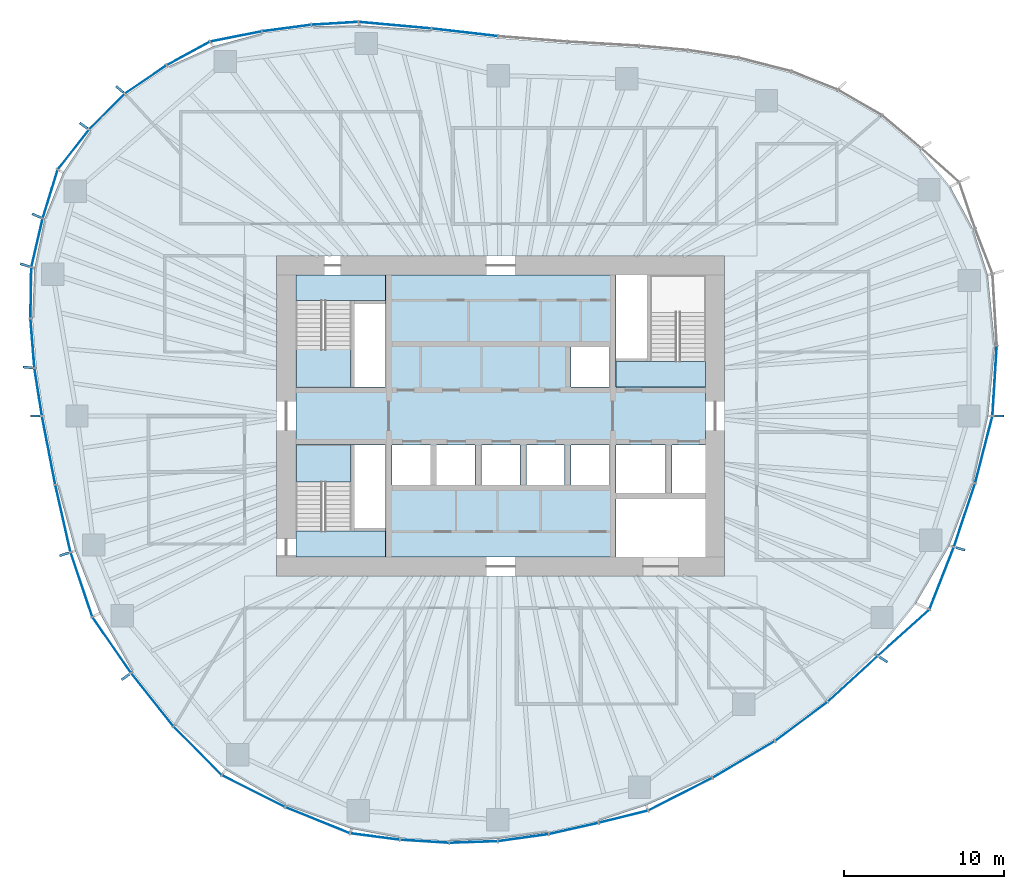
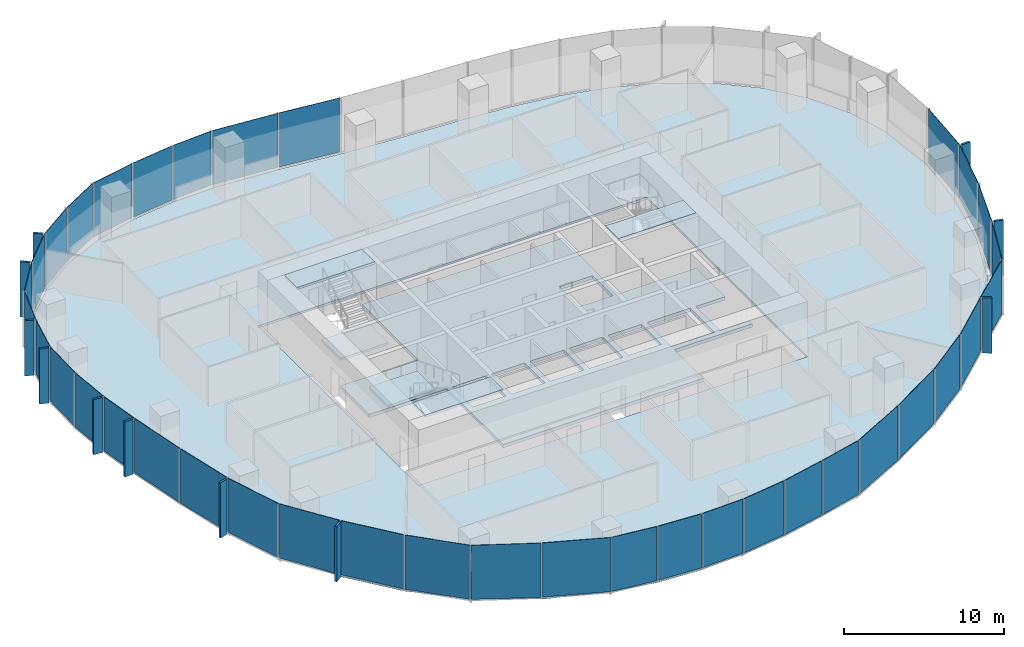
# One storey, part 7 of 18: 48 plates, 7 slabs, 19 elements without a shape of their own.
"""IFC4 building model written with IfcOpenShell, lengths in metres."""

from ifc_helpers import new_model, si_unit, direction, frame, origin, origin_2d, place, context, subcontext, project, spatial, polyline, rectangle, outline, extrude, material, layer, layer_set, type_object, element, aggregate, save


model = new_model("IFC4")

# Units and contexts
model_context = context("Model", 3, precision=1e-05, world=origin(), true_north=direction((0.0, 1.0)))
body_context = subcontext(model_context, "Body", "Model", "MODEL_VIEW")
ifc_project = project(units=[si_unit("LENGTHUNIT", "METRE"), si_unit("AREAUNIT", "SQUARE_METRE"), si_unit("VOLUMEUNIT", "CUBIC_METRE"), si_unit("PLANEANGLEUNIT", "RADIAN"), si_unit("MASSUNIT", "GRAM", prefix="KILO")], contexts=[model_context])

# Site, building, storey
site_placement = place(None, origin())
site = spatial("IfcSite", under=ifc_project, at=site_placement, CompositionType="ELEMENT")
building_placement = place(site_placement, origin())
building = spatial("IfcBuilding", under=site, at=building_placement, Name="Ghaith Harvest Tower", CompositionType="ELEMENT")
storey_placement = place(building_placement, frame((0.0, 0.0, 159.60009765625)))
storey = spatial("IfcBuildingStorey", under=building, at=storey_placement, Name="L34", CompositionType="ELEMENT", Elevation=159.60009765625)

# Curtain wall, plate
ifc_material_1 = material(Name="Black anodised aluminium and fritted glass", Category="aluminium")
curtain_wall_type = type_object("IfcCurtainWallType", Name="CW-L CURTAIN WALL", PredefinedType="NOTDEFINED", material=ifc_material_1)
curtain_wall_1_placement = place(storey_placement, origin())
curtain_wall_1 = element("IfcCurtainWall", 1, at=curtain_wall_1_placement, inside=storey, type_object=curtain_wall_type, Name="Curtain wall CW-L bay 01 L34", PredefinedType="NOTDEFINED")
ifc_material_2 = material(Name="Glass, dark solar-control fritted double glazed unit", Category="glass")
ifc_layer_1 = layer(ifc_material_2, 0.031982421875)
ifc_layer_set_1 = layer_set([ifc_layer_1], Name="CW-L VISION PANEL")
plate_type_1 = type_object("IfcPlateType", Name="CW-L VISION PANEL", PredefinedType="CURTAIN_PANEL", material=ifc_layer_set_1)
plate_1_placement = place(storey_placement, frame((30.86376953125, 2.19482421875, 0.079833984375), z_axis=(0.0, 0.0, 1.0), x_axis=(0.061379619468, 0.99811449359, 0.0)))
plate_1 = element("IfcPlate", 2, at=plate_1_placement, type_object=plate_type_1, Name="CW-L glass unit 1 bay 01 L34", PredefinedType="CURTAIN_PANEL", context=body_context, shape_type="SweptSolid", body=[
    extrude(rectangle(XDim=4.318115234375, YDim=0.031982421875, at=origin_2d()), origin(), (0.0, 0.0, 1.0), 4.1201171875),
])
aggregate(curtain_wall_1, [plate_1])

# Curtain wall, plates
curtain_wall_2_placement = place(storey_placement, origin())
curtain_wall_2 = element("IfcCurtainWall", 3, at=curtain_wall_2_placement, inside=storey, type_object=curtain_wall_type, Name="Curtain wall CW-L bay 06 L34", PredefinedType="NOTDEFINED")
plate_2_placement = place(storey_placement, frame((-2.24267578125, 23.968505859375, 0.079833984375), z_axis=(0.0, 0.0, 1.0), x_axis=(-0.993477024646, 0.114032458099, 0.0)))
plate_2 = element("IfcPlate", 4, at=plate_2_placement, type_object=plate_type_1, Name="CW-L glass unit 1 bay 06 L34", PredefinedType="CURTAIN_PANEL", context=body_context, shape_type="SweptSolid", body=[
    extrude(rectangle(XDim=4.10791015625, YDim=0.031982421875, at=origin_2d()), origin(), (0.0, 0.0, 1.0), 4.1201171875),
])
plate_3_placement = place(storey_placement, frame((-6.607666015625, 24.4140625, 0.079833984375), z_axis=(0.0, 0.0, 1.0), x_axis=(-0.995928776302, 0.090143621701, 0.0)))
plate_3 = element("IfcPlate", 5, at=plate_3_placement, type_object=plate_type_1, Name="CW-L glass unit 2 bay 06 L34", PredefinedType="CURTAIN_PANEL", context=body_context, shape_type="SweptSolid", body=[
    extrude(rectangle(XDim=4.508056640625, YDim=0.031982421875, at=origin_2d()), origin(), (0.0, 0.0, 1.0), 4.1201171875),
])
aggregate(curtain_wall_2, [plate_2, plate_3])

curtain_wall_3_placement = place(storey_placement, origin())
curtain_wall_3 = element("IfcCurtainWall", 6, at=curtain_wall_3_placement, inside=storey, type_object=curtain_wall_type, Name="Curtain wall CW-L bay 07 L34", PredefinedType="NOTDEFINED")
plate_4_placement = place(storey_placement, frame((-10.36669921875, 24.5302734375, 0.079833984375), z_axis=(0.0, 0.0, 1.0), x_axis=(-0.998119199641, -0.061303044853, 0.0)))
plate_4 = element("IfcPlate", 7, at=plate_4_placement, type_object=plate_type_1, Name="CW-L glass unit 1 bay 07 L34", PredefinedType="CURTAIN_PANEL", context=body_context, shape_type="SweptSolid", body=[
    extrude(rectangle(XDim=2.874267578125, YDim=0.031982421875, at=origin_2d()), origin(), (0.0, 0.0, 1.0), 4.1201171875),
])
plate_5_placement = place(storey_placement, frame((-13.382568359375, 24.23486328125, 0.079833984375), z_axis=(0.0, 0.0, 1.0), x_axis=(-0.991285895369, -0.131728029071, 0.0)))
plate_5 = element("IfcPlate", 8, at=plate_5_placement, type_object=plate_type_1, Name="CW-L glass unit 2 bay 07 L34", PredefinedType="CURTAIN_PANEL", context=body_context, shape_type="SweptSolid", body=[
    extrude(rectangle(XDim=3.02978515625, YDim=0.031982421875, at=origin_2d()), origin(), (0.0, 0.0, 1.0), 4.1201171875),
])
plate_6_placement = place(storey_placement, frame((-16.54443359375, 23.7099609375, 0.079833984375), z_axis=(0.0, 0.0, 1.0), x_axis=(-0.981037550101, -0.193817763096, 0.0)))
plate_6 = element("IfcPlate", 9, at=plate_6_placement, type_object=plate_type_1, Name="CW-L glass unit 3 bay 07 L34", PredefinedType="CURTAIN_PANEL", context=body_context, shape_type="SweptSolid", body=[
    extrude(rectangle(XDim=3.22412109375, YDim=0.031982421875, at=origin_2d()), origin(), (0.0, 0.0, 1.0), 4.1201171875),
])
aggregate(curtain_wall_3, [plate_4, plate_5, plate_6])

curtain_wall_4_placement = place(storey_placement, origin())
curtain_wall_4 = element("IfcCurtainWall", 10, at=curtain_wall_4_placement, inside=storey, type_object=curtain_wall_type, Name="Curtain wall CW-L bay 08 L34", PredefinedType="NOTDEFINED")
plate_7_placement = place(storey_placement, frame((-19.520263671875, 22.650634765625, 0.079833984375), z_axis=(0.0, 0.0, 1.0), x_axis=(-0.877940384665, -0.478769966659, 0.0)))
plate_7 = element("IfcPlate", 11, at=plate_7_placement, type_object=plate_type_1, Name="CW-L glass unit 1 bay 08 L34", PredefinedType="CURTAIN_PANEL", context=body_context, shape_type="SweptSolid", body=[
    extrude(rectangle(XDim=3.007080078125, YDim=0.031982421875, at=origin_2d()), origin(), (0.0, 0.0, 1.0), 4.1201171875),
])
plate_8_placement = place(storey_placement, frame((-22.182373046875, 21.025390625, 0.079833984375), z_axis=(0.0, 0.0, 1.0), x_axis=(-0.827674847773, -0.561207935051, 0.0)))
plate_8 = element("IfcPlate", 12, at=plate_8_placement, type_object=plate_type_1, Name="CW-L glass unit 2 bay 08 L34", PredefinedType="CURTAIN_PANEL", context=body_context, shape_type="SweptSolid", body=[
    extrude(rectangle(XDim=3.078369140625, YDim=0.031982421875, at=origin_2d()), origin(), (0.0, 0.0, 1.0), 4.1201171875),
])
plate_9_placement = place(storey_placement, frame((-24.603759765625, 19.01708984375, 0.079833984375), z_axis=(0.0, 0.0, 1.0), x_axis=(-0.704613943896, -0.709590861037, 0.0)))
plate_9 = element("IfcPlate", 13, at=plate_9_placement, type_object=plate_type_1, Name="CW-L glass unit 3 bay 08 L34", PredefinedType="CURTAIN_PANEL", context=body_context, shape_type="SweptSolid", body=[
    extrude(rectangle(XDim=3.0830078125, YDim=0.031982421875, at=origin_2d()), origin(), (0.0, 0.0, 1.0), 4.1201171875),
])
aggregate(curtain_wall_4, [plate_7, plate_8, plate_9])

curtain_wall_5_placement = place(storey_placement, origin())
curtain_wall_5 = element("IfcCurtainWall", 14, at=curtain_wall_5_placement, inside=storey, type_object=curtain_wall_type, Name="Curtain wall CW-L bay 09 L34", PredefinedType="NOTDEFINED")
plate_10_placement = place(storey_placement, frame((-26.69873046875, 16.644775390625, 0.079833984375), z_axis=(0.0, 0.0, 1.0), x_axis=(-0.617140806324, -0.786852734106, 0.0)))
plate_10 = element("IfcPlate", 15, at=plate_10_placement, type_object=plate_type_1, Name="CW-L glass unit 1 bay 09 L34", PredefinedType="CURTAIN_PANEL", context=body_context, shape_type="SweptSolid", body=[
    extrude(rectangle(XDim=3.09765625, YDim=0.031982421875, at=origin_2d()), origin(), (0.0, 0.0, 1.0), 4.1201171875),
])
plate_11_placement = place(storey_placement, frame((-28.14794921875, 13.869140625, 0.079833984375), z_axis=(0.0, 0.0, 1.0), x_axis=(-0.293802674087, -0.955866093498, 0.0)))
plate_11 = element("IfcPlate", 16, at=plate_11_placement, type_object=plate_type_1, Name="CW-L glass unit 2 bay 09 L34", PredefinedType="CURTAIN_PANEL", context=body_context, shape_type="SweptSolid", body=[
    extrude(rectangle(XDim=3.111328125, YDim=0.031982421875, at=origin_2d()), origin(), (0.0, 0.0, 1.0), 4.1201171875),
])
plate_12_placement = place(storey_placement, frame((-28.9716796875, 10.819091796875, 0.079833984375), z_axis=(0.0, 0.0, 1.0), x_axis=(-0.226698962458, -0.973964876379, 0.0)))
plate_12 = element("IfcPlate", 17, at=plate_12_placement, type_object=plate_type_1, Name="CW-L glass unit 3 bay 09 L34", PredefinedType="CURTAIN_PANEL", context=body_context, shape_type="SweptSolid", body=[
    extrude(rectangle(XDim=3.05126953125, YDim=0.031982421875, at=origin_2d()), origin(), (0.0, 0.0, 1.0), 4.1201171875),
])
aggregate(curtain_wall_5, [plate_10, plate_11, plate_12])

curtain_wall_6_placement = place(storey_placement, origin())
curtain_wall_6 = element("IfcCurtainWall", 18, at=curtain_wall_6_placement, inside=storey, type_object=curtain_wall_type, Name="Curtain wall CW-L bay 10 L34", PredefinedType="NOTDEFINED")
plate_13_placement = place(storey_placement, frame((-29.352294921875, 7.695068359375, 0.079833984375), z_axis=(0.0, 0.0, 1.0), x_axis=(-0.016034106433, -0.999871445452, 0.0)))
plate_13 = element("IfcPlate", 19, at=plate_13_placement, type_object=plate_type_1, Name="CW-L glass unit 1 bay 10 L34", PredefinedType="CURTAIN_PANEL", context=body_context, shape_type="SweptSolid", body=[
    extrude(rectangle(XDim=3.118408203125, YDim=0.031982421875, at=origin_2d()), origin(), (0.0, 0.0, 1.0), 4.1201171875),
])
plate_14_placement = place(storey_placement, frame((-29.25439453125, 4.54345703125, 0.079833984375), z_axis=(0.0, 0.0, 1.0), x_axis=(0.079273335663, -0.996852917061, 0.0)))
plate_14 = element("IfcPlate", 20, at=plate_14_placement, type_object=plate_type_1, Name="CW-L glass unit 2 bay 10 L34", PredefinedType="CURTAIN_PANEL", context=body_context, shape_type="SweptSolid", body=[
    extrude(rectangle(XDim=3.035400390625, YDim=0.031982421875, at=origin_2d()), origin(), (0.0, 0.0, 1.0), 4.1201171875),
])
plate_15_placement = place(storey_placement, frame((-28.896240234375, 1.495361328125, 0.079833984375), z_axis=(0.0, 0.0, 1.0), x_axis=(0.155172175389, -0.987887440949, 0.0)))
plate_15 = element("IfcPlate", 21, at=plate_15_placement, type_object=plate_type_1, Name="CW-L glass unit 3 bay 10 L34", PredefinedType="CURTAIN_PANEL", context=body_context, shape_type="SweptSolid", body=[
    extrude(rectangle(XDim=2.947265625, YDim=0.031982421875, at=origin_2d()), origin(), (0.0, 0.0, 1.0), 4.1201171875),
])
aggregate(curtain_wall_6, [plate_13, plate_14, plate_15])

curtain_wall_7_placement = place(storey_placement, origin())
curtain_wall_7 = element("IfcCurtainWall", 22, at=curtain_wall_7_placement, inside=storey, type_object=curtain_wall_type, Name="Curtain wall CW-L bay 11 L34", PredefinedType="NOTDEFINED")
plate_16_placement = place(storey_placement, frame((-28.24462890625, -2.152099609375, 0.079833984375), z_axis=(0.0, 0.0, 1.0), x_axis=(0.190044913274, -0.981775397399, 0.0)))
plate_16 = element("IfcPlate", 23, at=plate_16_placement, type_object=plate_type_1, Name="CW-L glass unit 1 bay 11 L34", PredefinedType="CURTAIN_PANEL", context=body_context, shape_type="SweptSolid", body=[
    extrude(rectangle(XDim=4.303955078125, YDim=0.031982421875, at=origin_2d()), origin(), (0.0, 0.0, 1.0), 4.1201171875),
])
plate_17_placement = place(storey_placement, frame((-27.351806640625, -6.41064453125, 0.079833984375), z_axis=(0.0, 0.0, 1.0), x_axis=(0.220483469245, -0.975390711351, 0.0)))
plate_17 = element("IfcPlate", 24, at=plate_17_placement, type_object=plate_type_1, Name="CW-L glass unit 2 bay 11 L34", PredefinedType="CURTAIN_PANEL", context=body_context, shape_type="SweptSolid", body=[
    extrude(rectangle(XDim=4.239501953125, YDim=0.031982421875, at=origin_2d()), origin(), (0.0, 0.0, 1.0), 4.1201171875),
])
aggregate(curtain_wall_7, [plate_16, plate_17])

curtain_wall_8_placement = place(storey_placement, origin())
curtain_wall_8 = element("IfcCurtainWall", 25, at=curtain_wall_8_placement, inside=storey, type_object=curtain_wall_type, Name="Curtain wall CW-L bay 12 L34", PredefinedType="NOTDEFINED")
plate_18_placement = place(storey_placement, frame((-26.194580078125, -10.537841796875, 0.079833984375), z_axis=(0.0, 0.0, 1.0), x_axis=(0.319477383729, -0.947593901039, 0.0)))
plate_18 = element("IfcPlate", 26, at=plate_18_placement, type_object=plate_type_1, Name="CW-L glass unit 1 bay 12 L34", PredefinedType="CURTAIN_PANEL", context=body_context, shape_type="SweptSolid", body=[
    extrude(rectangle(XDim=4.184326171875, YDim=0.031982421875, at=origin_2d()), origin(), (0.0, 0.0, 1.0), 4.1201171875),
])
plate_19_placement = place(storey_placement, frame((-24.3017578125, -14.312255859375, 0.079833984375), z_axis=(0.0, 0.0, 1.0), x_axis=(0.568347699633, -0.822788485774, 0.0)))
plate_19 = element("IfcPlate", 27, at=plate_19_placement, type_object=plate_type_1, Name="CW-L glass unit 2 bay 12 L34", PredefinedType="CURTAIN_PANEL", context=body_context, shape_type="SweptSolid", body=[
    extrude(rectangle(XDim=4.18359375, YDim=0.031982421875, at=origin_2d()), origin(), (0.0, 0.0, 1.0), 4.1201171875),
])
aggregate(curtain_wall_8, [plate_18, plate_19])

curtain_wall_9_placement = place(storey_placement, origin())
curtain_wall_9 = element("IfcCurtainWall", 28, at=curtain_wall_9_placement, inside=storey, type_object=curtain_wall_type, Name="Curtain wall CW-L bay 13 L34", PredefinedType="NOTDEFINED")
plate_20_placement = place(storey_placement, frame((-21.765625, -17.7314453125, 0.079833984375), z_axis=(0.0, 0.0, 1.0), x_axis=(0.622507360482, -0.782613944513, 0.0)))
plate_20 = element("IfcPlate", 29, at=plate_20_placement, type_object=plate_type_1, Name="CW-L glass unit 1 bay 13 L34", PredefinedType="CURTAIN_PANEL", context=body_context, shape_type="SweptSolid", body=[
    extrude(rectangle(XDim=4.175537109375, YDim=0.031982421875, at=origin_2d()), origin(), (0.0, 0.0, 1.0), 4.1201171875),
])
plate_21_placement = place(storey_placement, frame((-18.935791015625, -20.920166015625, 0.079833984375), z_axis=(0.0, 0.0, 1.0), x_axis=(0.702843151286, -0.711344856375, 0.0)))
plate_21 = element("IfcPlate", 30, at=plate_21_placement, type_object=plate_type_1, Name="CW-L glass unit 2 bay 13 L34", PredefinedType="CURTAIN_PANEL", context=body_context, shape_type="SweptSolid", body=[
    extrude(rectangle(XDim=4.203369140625, YDim=0.031982421875, at=origin_2d()), origin(), (0.0, 0.0, 1.0), 4.1201171875),
])
aggregate(curtain_wall_9, [plate_20, plate_21])

curtain_wall_10_placement = place(storey_placement, origin())
curtain_wall_10 = element("IfcCurtainWall", 31, at=curtain_wall_10_placement, inside=storey, type_object=curtain_wall_type, Name="Curtain wall CW-L bay 14 L34", PredefinedType="NOTDEFINED")
plate_22_placement = place(storey_placement, frame((-15.44677734375, -23.443115234375, 0.079833984375), z_axis=(0.0, 0.0, 1.0), x_axis=(0.893062297869, -0.449933030712, 0.0)))
plate_22 = element("IfcPlate", 32, at=plate_22_placement, type_object=plate_type_1, Name="CW-L glass unit 1 bay 14 L34", PredefinedType="CURTAIN_PANEL", context=body_context, shape_type="SweptSolid", body=[
    extrude(rectangle(XDim=4.362548828125, YDim=0.031982421875, at=origin_2d()), origin(), (0.0, 0.0, 1.0), 4.1201171875),
])
plate_23_placement = place(storey_placement, frame((-11.441162109375, -25.260498046875, 0.079833984375), z_axis=(0.0, 0.0, 1.0), x_axis=(0.927002522537, -0.375055093567, 0.0)))
plate_23 = element("IfcPlate", 33, at=plate_23_placement, type_object=plate_type_1, Name="CW-L glass unit 2 bay 14 L34", PredefinedType="CURTAIN_PANEL", context=body_context, shape_type="SweptSolid", body=[
    extrude(rectangle(XDim=4.282470703125, YDim=0.031982421875, at=origin_2d()), origin(), (0.0, 0.0, 1.0), 4.1201171875),
])
aggregate(curtain_wall_10, [plate_22, plate_23])

curtain_wall_11_placement = place(storey_placement, origin())
curtain_wall_11 = element("IfcCurtainWall", 34, at=curtain_wall_11_placement, inside=storey, type_object=curtain_wall_type, Name="Curtain wall CW-L bay 15 L34", PredefinedType="NOTDEFINED")
plate_24_placement = place(storey_placement, frame((-7.856689453125, -26.281005859375, 0.079833984375), z_axis=(0.0, 0.0, 1.0), x_axis=(0.99172348392, -0.128392100386, 0.0)))
plate_24 = element("IfcPlate", 35, at=plate_24_placement, type_object=plate_type_1, Name="CW-L glass unit 1 bay 15 L34", PredefinedType="CURTAIN_PANEL", context=body_context, shape_type="SweptSolid", body=[
    extrude(rectangle(XDim=3.07080078125, YDim=0.031982421875, at=origin_2d()), origin(), (0.0, 0.0, 1.0), 4.1201171875),
])
plate_25_placement = place(storey_placement, frame((-4.7568359375, -26.57958984375, 0.079833984375), z_axis=(0.0, 0.0, 1.0), x_axis=(0.998038280843, -0.062606628824, 0.0)))
plate_25 = element("IfcPlate", 36, at=plate_25_placement, type_object=plate_type_1, Name="CW-L glass unit 2 bay 15 L34", PredefinedType="CURTAIN_PANEL", context=body_context, shape_type="SweptSolid", body=[
    extrude(rectangle(XDim=3.001220703125, YDim=0.031982421875, at=origin_2d()), origin(), (0.0, 0.0, 1.0), 4.1201171875),
])
plate_26_placement = place(storey_placement, frame((-1.700439453125, -26.624755859375, 0.079833984375), z_axis=(0.0, 0.0, 1.0), x_axis=(0.999431515426, 0.033714180603, 0.0)))
plate_26 = element("IfcPlate", 37, at=plate_26_placement, type_object=plate_type_1, Name="CW-L glass unit 3 bay 15 L34", PredefinedType="CURTAIN_PANEL", context=body_context, shape_type="SweptSolid", body=[
    extrude(rectangle(XDim=2.958984375, YDim=0.031982421875, at=origin_2d()), origin(), (0.0, 0.0, 1.0), 4.1201171875),
])
aggregate(curtain_wall_11, [plate_24, plate_25, plate_26])

curtain_wall_12_placement = place(storey_placement, origin())
curtain_wall_12 = element("IfcCurtainWall", 38, at=curtain_wall_12_placement, inside=storey, type_object=curtain_wall_type, Name="Curtain wall CW-L bay 16 L34", PredefinedType="NOTDEFINED")
plate_27_placement = place(storey_placement, frame((1.4140625, -26.3515625, 0.079833984375), z_axis=(0.0, 0.0, 1.0), x_axis=(0.990448098003, 0.137886058621, 0.0)))
plate_27 = element("IfcPlate", 39, at=plate_27_placement, type_object=plate_type_1, Name="CW-L glass unit 1 bay 16 L34", PredefinedType="CURTAIN_PANEL", context=body_context, shape_type="SweptSolid", body=[
    extrude(rectangle(XDim=3.142578125, YDim=0.031982421875, at=origin_2d()), origin(), (0.0, 0.0, 1.0), 4.1201171875),
])
plate_28_placement = place(storey_placement, frame((4.565185546875, -25.77734375, 0.079833984375), z_axis=(0.0, 0.0, 1.0), x_axis=(0.975341754172, 0.220699937852, 0.0)))
plate_28 = element("IfcPlate", 40, at=plate_28_placement, type_object=plate_type_1, Name="CW-L glass unit 2 bay 16 L34", PredefinedType="CURTAIN_PANEL", context=body_context, shape_type="SweptSolid", body=[
    extrude(rectangle(XDim=3.10888671875, YDim=0.031982421875, at=origin_2d()), origin(), (0.0, 0.0, 1.0), 4.1201171875),
])
plate_29_placement = place(storey_placement, frame((7.66845703125, -25.0400390625, 0.079833984375), z_axis=(0.0, 0.0, 1.0), x_axis=(0.970384283801, 0.241566433413, 0.0)))
plate_29 = element("IfcPlate", 41, at=plate_29_placement, type_object=plate_type_1, Name="CW-L glass unit 3 bay 16 L34", PredefinedType="CURTAIN_PANEL", context=body_context, shape_type="SweptSolid", body=[
    extrude(rectangle(XDim=3.111083984375, YDim=0.031982421875, at=origin_2d()), origin(), (0.0, 0.0, 1.0), 4.1201171875),
])
aggregate(curtain_wall_12, [plate_27, plate_28, plate_29])

curtain_wall_13_placement = place(storey_placement, origin())
curtain_wall_13 = element("IfcCurtainWall", 42, at=curtain_wall_13_placement, inside=storey, type_object=curtain_wall_type, Name="Curtain wall CW-L bay 17 L34", PredefinedType="NOTDEFINED")
plate_30_placement = place(storey_placement, frame((11.220703125, -23.63427734375, 0.079833984375), z_axis=(0.0, 0.0, 1.0), x_axis=(0.891126766056, 0.453754434489, 0.0)))
plate_30 = element("IfcPlate", 43, at=plate_30_placement, type_object=plate_type_1, Name="CW-L glass unit 1 bay 17 L34", PredefinedType="CURTAIN_PANEL", context=body_context, shape_type="SweptSolid", body=[
    extrude(rectangle(XDim=4.417236328125, YDim=0.031982421875, at=origin_2d()), origin(), (0.0, 0.0, 1.0), 4.1201171875),
])
plate_31_placement = place(storey_placement, frame((15.17822265625, -21.46484375, 0.079833984375), z_axis=(0.0, 0.0, 1.0), x_axis=(0.861979497965, 0.506943137924, 0.0)))
plate_31 = element("IfcPlate", 44, at=plate_31_placement, type_object=plate_type_1, Name="CW-L glass unit 2 bay 17 L34", PredefinedType="CURTAIN_PANEL", context=body_context, shape_type="SweptSolid", body=[
    extrude(rectangle(XDim=4.453125, YDim=0.031982421875, at=origin_2d()), origin(), (0.0, 0.0, 1.0), 4.1201171875),
])
aggregate(curtain_wall_13, [plate_30, plate_31])

curtain_wall_14_placement = place(storey_placement, origin())
curtain_wall_14 = element("IfcCurtainWall", 45, at=curtain_wall_14_placement, inside=storey, type_object=curtain_wall_type, Name="Curtain wall CW-L bay 18 L34", PredefinedType="NOTDEFINED")
plate_32_placement = place(storey_placement, frame((18.78076171875, -19.08984375, 0.079833984375), z_axis=(0.0, 0.0, 1.0), x_axis=(0.802462370117, 0.596702727115, 0.0)))
plate_32 = element("IfcPlate", 46, at=plate_32_placement, type_object=plate_type_1, Name="CW-L glass unit 1 bay 18 L34", PredefinedType="CURTAIN_PANEL", context=body_context, shape_type="SweptSolid", body=[
    extrude(rectangle(XDim=4.029541015625, YDim=0.031982421875, at=origin_2d()), origin(), (0.0, 0.0, 1.0), 4.1201171875),
])
plate_33_placement = place(storey_placement, frame((21.9951171875, -16.428955078125, 0.079833984375), z_axis=(0.0, 0.0, 1.0), x_axis=(0.737201663563, 0.675672781189, 0.0)))
plate_33 = element("IfcPlate", 47, at=plate_33_placement, type_object=plate_type_1, Name="CW-L glass unit 2 bay 18 L34", PredefinedType="CURTAIN_PANEL", context=body_context, shape_type="SweptSolid", body=[
    extrude(rectangle(XDim=4.1669921875, YDim=0.031982421875, at=origin_2d()), origin(), (0.0, 0.0, 1.0), 4.1201171875),
])
aggregate(curtain_wall_14, [plate_32, plate_33])

curtain_wall_15_placement = place(storey_placement, origin())
curtain_wall_15 = element("IfcCurtainWall", 48, at=curtain_wall_15_placement, inside=storey, type_object=curtain_wall_type, Name="Curtain wall CW-L bay 19 L34", PredefinedType="NOTDEFINED")
plate_34_placement = place(storey_placement, frame((25.17333984375, -13.54345703125, 0.079833984375), z_axis=(0.0, 0.0, 1.0), x_axis=(0.743493028761, 0.668743684968, 0.0)))
plate_34 = element("IfcPlate", 49, at=plate_34_placement, type_object=plate_type_1, Name="CW-L glass unit 1 bay 19 L34", PredefinedType="CURTAIN_PANEL", context=body_context, shape_type="SweptSolid", body=[
    extrude(rectangle(XDim=4.2587890625, YDim=0.031982421875, at=origin_2d()), origin(), (0.0, 0.0, 1.0), 4.1201171875),
])
plate_35_placement = place(storey_placement, frame((27.552978515625, -10.138916015625, 0.079833984375), z_axis=(0.0, 0.0, 1.0), x_axis=(0.365226458984, 0.930918704108, 0.0)))
plate_35 = element("IfcPlate", 50, at=plate_35_placement, type_object=plate_type_1, Name="CW-L glass unit 2 bay 19 L34", PredefinedType="CURTAIN_PANEL", context=body_context, shape_type="SweptSolid", body=[
    extrude(rectangle(XDim=4.11767578125, YDim=0.031982421875, at=origin_2d()), origin(), (0.0, 0.0, 1.0), 4.1201171875),
])
aggregate(curtain_wall_15, [plate_34, plate_35])

curtain_wall_16_placement = place(storey_placement, origin())
curtain_wall_16 = element("IfcCurtainWall", 51, at=curtain_wall_16_placement, inside=storey, type_object=curtain_wall_type, Name="Curtain wall CW-L bay 20 L34", PredefinedType="NOTDEFINED")
plate_36_placement = place(storey_placement, frame((28.982666015625, -6.191650390625, 0.079833984375), z_axis=(0.0, 0.0, 1.0), x_axis=(0.315708038084, 0.948856382541, 0.0)))
plate_36 = element("IfcPlate", 52, at=plate_36_placement, type_object=plate_type_1, Name="CW-L glass unit 1 bay 20 L34", PredefinedType="CURTAIN_PANEL", context=body_context, shape_type="SweptSolid", body=[
    extrude(rectangle(XDim=4.12158203125, YDim=0.031982421875, at=origin_2d()), origin(), (0.0, 0.0, 1.0), 4.1201171875),
])
plate_37_placement = place(storey_placement, frame((30.187255859375, -2.09912109375, 0.079833984375), z_axis=(0.0, 0.0, 1.0), x_axis=(0.24974411022, 0.968311870944, 0.0)))
plate_37 = element("IfcPlate", 53, at=plate_37_placement, type_object=plate_type_1, Name="CW-L glass unit 2 bay 20 L34", PredefinedType="CURTAIN_PANEL", context=body_context, shape_type="SweptSolid", body=[
    extrude(rectangle(XDim=4.255615234375, YDim=0.031982421875, at=origin_2d()), origin(), (0.0, 0.0, 1.0), 4.1201171875),
])
aggregate(curtain_wall_16, [plate_36, plate_37])

# Slabs
ifc_material_3 = material(Name="Concrete C40/50", Category="concrete")
ifc_layer_2 = layer(ifc_material_3, 0.169921875)
ifc_layer_set_2 = layer_set([ifc_layer_2], Name="FLOOR SLAB 170")
slab_type_1 = type_object("IfcSlabType", Name="FLOOR SLAB 170", PredefinedType="FLOOR", material=ifc_layer_set_2)
slab_1_placement = place(storey_placement, frame((0.0, 0.0, -0.170166015625)))
element("IfcSlab", 54, at=slab_1_placement, inside=storey, type_object=slab_type_1, Name="Floor slab L34", PredefinedType="FLOOR", context=body_context, shape_type="SweptSolid", body=[
    extrude(outline(polyline([(30.458740234375, 0.0), (30.8798828125, 4.373046875), (30.439208984375, 8.797607421875), (29.52294921875, 11.671875), (28.0888671875, 14.32568359375), (26.179443359375, 16.660888671875), (23.7275390625, 18.718017578125), (20.97998046875, 20.3056640625), (18.0849609375, 21.4462890625), (14.79833984375, 22.27978515625), (11.617919921875, 22.757080078125), (8.604736328125, 23.017333984375), (4.125732421875, 23.272705078125), (-0.16162109375, 23.609619140625), (-4.302001953125, 24.089111328125), (-8.814208984375, 24.404541015625), (-11.788818359375, 24.331787109375), (-14.860595703125, 23.927978515625), (-17.938232421875, 23.097412109375), (-20.79248046875, 21.82470703125), (-23.398193359375, 20.06103515625), (-25.61962890625, 17.826416015625), (-27.33837890625, 15.204833984375), (-28.506591796875, 12.29638671875), (-29.12646484375, 9.230712890625), (-29.260498046875, 6.07177734375), (-29.01171875, 2.978271484375), (-28.541259765625, 0.0), (-27.70947265625, -4.285888671875), (-26.580078125, -8.423583984375), (-25.046875, -12.32861328125), (-22.99169921875, -15.997802734375), (-20.35400390625, -19.31396484375), (-17.1728515625, -22.11181640625), (-13.4052734375, -24.33740234375), (-9.317138671875, -25.79638671875), (-6.2666015625, -26.366455078125), (-3.204833984375, -26.556884765625), (-0.180908203125, -26.423583984375), (2.99609375, -26.010009765625), (6.09228515625, -25.308837890625), (9.09423828125, -24.326904296875), (13.163818359375, -22.510498046875), (17.054443359375, -20.22412109375), (20.33935546875, -17.784912109375), (23.400390625, -14.89208984375), (25.94775390625, -11.714111328125), (28.03125, -8.1015625), (29.527099609375, -4.181396484375), (30.458740234375, 0.0)]), holes=[polyline([(-14.0, -10.0), (14.0, -10.0), (14.0, 10.0), (-14.0, 10.0), (-14.0, -10.0)])]), origin(), (0.0, 0.0, 1.0), 0.170166015625),
])
ifc_material_4 = material(Name="Concrete C40/50", Category="concrete")
ifc_layer_3 = layer(ifc_material_4, 0.25)
ifc_layer_set_3 = layer_set([ifc_layer_3], Name="FLOOR SLAB 250")
slab_type_2 = type_object("IfcSlabType", Name="FLOOR SLAB 250", PredefinedType="FLOOR", material=ifc_layer_set_3)
slab_2_placement = place(storey_placement, frame((0.0, 0.0, -0.25)))
element("IfcSlab", 55, at=slab_2_placement, inside=storey, type_object=slab_type_2, Name="Core slab L34", PredefinedType="FLOOR", context=body_context, shape_type="SweptSolid", body=[
    extrude(outline(polyline([(-12.800048828125, 1.800048828125), (-7.199951171875, 1.800048828125), (-7.199951171875, 8.800048828125), (7.199951171875, 8.800048828125), (7.199951171875, 1.800048828125), (12.800048828125, 1.800048828125), (12.800048828125, -1.800048828125), (10.699951171875, -1.800048828125), (10.699951171875, -4.800048828125), (12.800048828125, -4.800048828125), (12.800048828125, -5.199951171875), (7.199951171875, -5.199951171875), (7.199951171875, -8.800048828125), (-7.199951171875, -8.800048828125), (-7.199951171875, -1.800048828125), (-12.800048828125, -1.800048828125), (-12.800048828125, 1.800048828125)]), holes=[polyline([(-4.39990234375, -4.300048828125), (-4.39990234375, -1.800048828125), (-6.800048828125, -1.800048828125), (-6.800048828125, -4.300048828125), (-4.39990234375, -4.300048828125)]), polyline([(-1.60009765625, -4.300048828125), (-1.60009765625, -1.800048828125), (-4.0, -1.800048828125), (-4.0, -4.300048828125), (-1.60009765625, -4.300048828125)]), polyline([(1.199951171875, -1.800048828125), (-1.199951171875, -1.800048828125), (-1.199951171875, -4.300048828125), (1.199951171875, -4.300048828125), (1.199951171875, -1.800048828125)]), polyline([(4.0, -4.300048828125), (4.0, -1.800048828125), (1.60009765625, -1.800048828125), (1.60009765625, -4.300048828125), (4.0, -4.300048828125)]), polyline([(10.300048828125, -4.800048828125), (10.300048828125, -1.800048828125), (7.199951171875, -1.800048828125), (7.199951171875, -4.800048828125), (10.300048828125, -4.800048828125)]), polyline([(6.800048828125, -1.800048828125), (4.39990234375, -1.800048828125), (4.39990234375, -4.300048828125), (6.800048828125, -4.300048828125), (6.800048828125, -1.800048828125)]), polyline([(6.800048828125, 1.800048828125), (6.800048828125, 4.300048828125), (4.39990234375, 4.300048828125), (4.39990234375, 1.800048828125), (6.800048828125, 1.800048828125)])]), origin(), (0.0, 0.0, 1.0), 0.25),
])

# Stair, slabs
ifc_material_5 = material(Name="Concrete C40/50, precast", Category="concrete")
stair_type = type_object("IfcStairType", Name="CORE STAIR 24R", PredefinedType="HALF_TURN_STAIR", material=ifc_material_5)
stair_1_placement = place(storey_placement, origin())
stair_1 = element("IfcStair", 56, at=stair_1_placement, inside=storey, type_object=stair_type, Name="Stair ST1 L34", PredefinedType="HALF_TURN_STAIR")
ifc_material_6 = material(Name="Concrete C40/50, precast", Category="concrete")
ifc_layer_4 = layer(ifc_material_6, 0.179931640625)
ifc_layer_set_4 = layer_set([ifc_layer_4], Name="STAIR LANDING 180")
slab_type_3 = type_object("IfcSlabType", Name="STAIR LANDING 180", PredefinedType="LANDING", material=ifc_layer_set_4)
slab_3_placement = place(storey_placement, frame((0.0, 0.0, 1.919921875)))
slab_3 = element("IfcSlab", 57, at=slab_3_placement, type_object=slab_type_3, Name="ST1 landing 1", PredefinedType="LANDING", context=body_context, shape_type="SweptSolid", body=[
    extrude(outline(polyline([(-12.800048828125, 4.139892578125), (-12.800048828125, 1.77490234375), (-9.35009765625, 1.77490234375), (-9.35009765625, 4.139892578125), (-12.800048828125, 4.139892578125)])), origin(), (0.0, 0.0, 1.0), 0.179931640625),
])
slab_4_placement = place(storey_placement, frame((0.0, 0.0, 4.02001953125)))
slab_4 = element("IfcSlab", 58, at=slab_4_placement, type_object=slab_type_3, Name="ST1 landing 2", PredefinedType="LANDING", context=body_context, shape_type="SweptSolid", body=[
    extrude(outline(polyline([(-12.800048828125, 8.800048828125), (-12.800048828125, 7.199951171875), (-7.199951171875, 7.199951171875), (-7.199951171875, 8.800048828125), (-12.800048828125, 8.800048828125)])), origin(), (0.0, 0.0, 1.0), 0.179931640625),
])
aggregate(stair_1, [slab_3, slab_4])

stair_2_placement = place(storey_placement, origin())
stair_2 = element("IfcStair", 59, at=stair_2_placement, inside=storey, type_object=stair_type, Name="Stair ST3 L34", PredefinedType="HALF_TURN_STAIR")
slab_5_placement = place(storey_placement, frame((0.0, 0.0, 1.919921875)))
slab_5 = element("IfcSlab", 60, at=slab_5_placement, type_object=slab_type_3, Name="ST3 landing 1", PredefinedType="LANDING", context=body_context, shape_type="SweptSolid", body=[
    extrude(outline(polyline([(-12.800048828125, -4.139892578125), (-12.800048828125, -1.77490234375), (-9.35009765625, -1.77490234375), (-9.35009765625, -4.139892578125), (-12.800048828125, -4.139892578125)])), origin(), (0.0, 0.0, 1.0), 0.179931640625),
])
slab_6_placement = place(storey_placement, frame((0.0, 0.0, 4.02001953125)))
slab_6 = element("IfcSlab", 61, at=slab_6_placement, type_object=slab_type_3, Name="ST3 landing 2", PredefinedType="LANDING", context=body_context, shape_type="SweptSolid", body=[
    extrude(outline(polyline([(-12.800048828125, -8.800048828125), (-12.800048828125, -7.199951171875), (-7.199951171875, -7.199951171875), (-7.199951171875, -8.800048828125), (-12.800048828125, -8.800048828125)])), origin(), (0.0, 0.0, 1.0), 0.179931640625),
])
aggregate(stair_2, [slab_5, slab_6])

# Stair, slab
stair_3_placement = place(storey_placement, origin())
stair_3 = element("IfcStair", 62, at=stair_3_placement, inside=storey, type_object=stair_type, Name="Stair ST2 L34", PredefinedType="HALF_TURN_STAIR")
slab_7_placement = place(storey_placement, frame((0.0, 0.0, 4.02001953125)))
slab_7 = element("IfcSlab", 63, at=slab_7_placement, type_object=slab_type_3, Name="ST2 landing 2", PredefinedType="LANDING", context=body_context, shape_type="SweptSolid", body=[
    extrude(outline(polyline([(12.800048828125, 1.800048828125), (12.800048828125, 3.39990234375), (7.199951171875, 3.39990234375), (7.199951171875, 1.800048828125), (12.800048828125, 1.800048828125)])), origin(), (0.0, 0.0, 1.0), 0.179931640625),
])
aggregate(stair_3, [slab_7])

# Plates
ifc_material_7 = material(Name="Glassfibre-reinforced concrete", Category="concrete")
ifc_layer_5 = layer(ifc_material_7, 0.14990234375)
ifc_layer_set_5 = layer_set([ifc_layer_5], Name="SUN-BREAKER FIN 600x150")
plate_type_2 = type_object("IfcPlateType", Name="SUN-BREAKER FIN 600x150", PredefinedType="USERDEFINED", material=ifc_layer_set_5)
for number, where, z_axis, x_axis, name in (
    (64, (31.148681640625, 0.0, 0.0), (0.0, 0.0, 1.0), (1.0, 0.0, 0.0), "Sun-breaker fin CW-L 1 bay 01 L34"),
    (65, (-23.808349609375, 20.41259765625, 0.0), (0.0, 0.0, 1.0), (-0.759169742643, 0.650892696115, 0.0), "Sun-breaker fin CW-L 3 bay 08 L34"),
    (66, (-26.06298828125, 18.134765625, 0.0), (0.0, 0.0, 1.0), (-0.820845486523, 0.571150319316, 0.0), "Sun-breaker fin CW-L 1 bay 09 L34"),
    (67, (-29.00244140625, 12.51025390625, 0.0), (0.0, 0.0, 1.0), (-0.918217993215, 0.396075392995, 0.0), "Sun-breaker fin CW-L 3 bay 09 L34"),
    (68, (-29.72705078125, 9.4208984375, 0.0), (0.0, 0.0, 1.0), (-0.953273219358, 0.302109531884, 0.0), "Sun-breaker fin CW-L 1 bay 10 L34"),
    (69, (-29.548828125, 3.033447265625, 0.0), (0.0, 0.0, 1.0), (-0.994771752973, 0.102123256344, 0.0), "Sun-breaker fin CW-L 3 bay 10 L34"),
    (70, (-29.081298828125, 0.0, 0.0), (0.0, 0.0, 1.0), (-1.0, -4.19e-10, 0.0), "Sun-breaker fin CW-L 1 bay 11 L34"),
    (71, (-27.276123046875, -8.644287109375, 0.0), (0.0, 0.0, 1.0), (-0.953273219416, -0.302109531701, 0.0), "Sun-breaker fin CW-L 1 bay 12 L34"),
    (72, (-23.434814453125, -16.30615234375, 0.0), (0.0, 0.0, 1.0), (-0.820845486622, -0.571150319173, 0.0), "Sun-breaker fin CW-L 1 bay 13 L34"),
    (73, (23.914794921875, -15.2197265625, 0.0), (0.0, 0.0, 1.0), (0.84364397137, -0.536903016913, 0.0), "Sun-breaker fin CW-L 1 bay 19 L34"),
    (74, (28.722900390625, -8.301513671875, 0.0), (0.0, 0.0, 1.0), (0.960680349932, -0.277656739976, 0.0), "Sun-breaker fin CW-L 1 bay 20 L34"),
):
    element("IfcPlate", number, at=place(storey_placement, frame(where, z_axis=z_axis, x_axis=x_axis)), inside=storey, type_object=plate_type_2, Name=name, ObjectType="SUN-BREAKER FIN", PredefinedType="USERDEFINED", context=body_context, shape_type="SweptSolid", body=[
        extrude(rectangle(XDim=0.60009765625, YDim=0.14990234375, at=origin_2d()), origin(), (0.0, 0.0, 1.0), 4.199951171875),
    ])

save(model, "model.ifc")
